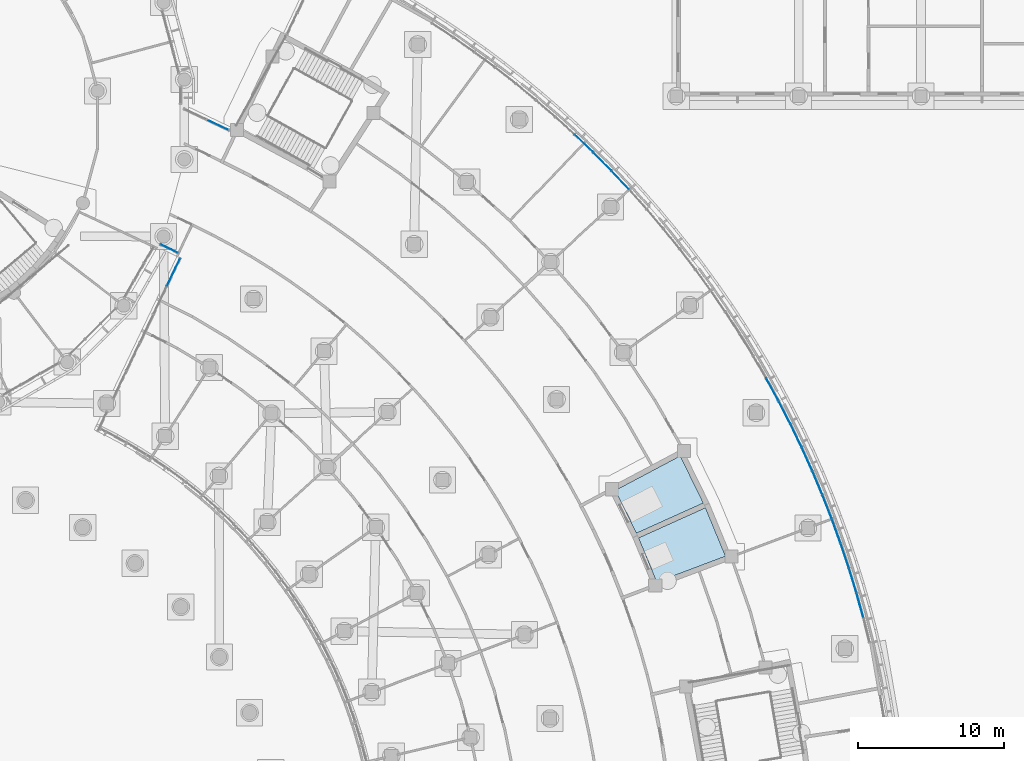
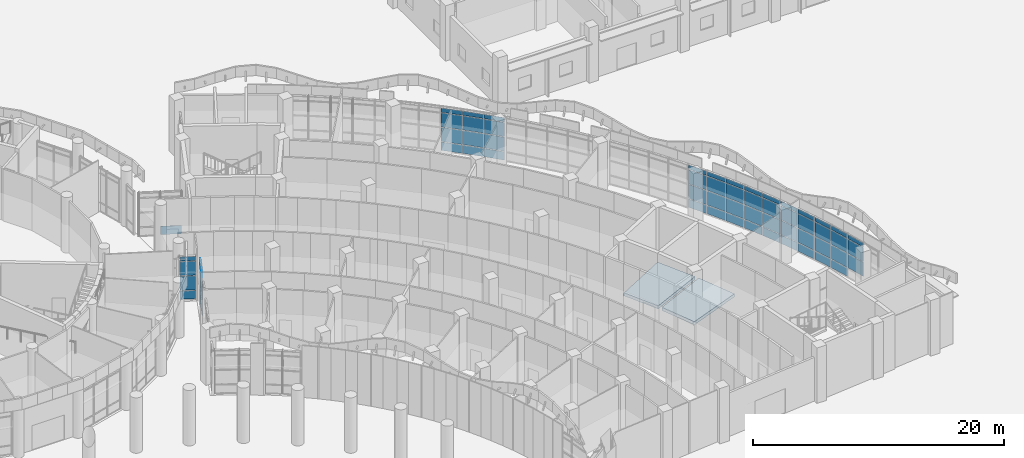
# One storey, part 50 of 146: 60 plates, 2 slabs, 7 elements without a shape of their own.
"""IFC4 building model written with IfcOpenShell, lengths in metres."""

from ifc_helpers import new_model, si_unit, direction, frame, origin, origin_2d, place, context, subcontext, project, spatial, polyline, rectangle, outline, extrude, material, layer, layer_set, type_object, element, aggregate, save


model = new_model("IFC4")

# Units and contexts
model_context = context("Model", 3, precision=1e-05, world=origin(), true_north=direction((0.0, 1.0)))
body_context = subcontext(model_context, "Body", "Model", "MODEL_VIEW")
ifc_project = project(units=[si_unit("LENGTHUNIT", "METRE"), si_unit("AREAUNIT", "SQUARE_METRE"), si_unit("VOLUMEUNIT", "CUBIC_METRE"), si_unit("PLANEANGLEUNIT", "RADIAN"), si_unit("MASSUNIT", "GRAM", prefix="KILO")], contexts=[model_context])

# Site, building, storey
site_placement = place(None, origin())
site = spatial("IfcSite", under=ifc_project, at=site_placement, CompositionType="ELEMENT")
building_placement = place(site_placement, origin())
building = spatial("IfcBuilding", under=site, at=building_placement, Name="Bougainvillea Quay General Hospital", CompositionType="ELEMENT")
storey_placement = place(building_placement, origin())
storey = spatial("IfcBuildingStorey", under=building, at=storey_placement, Name="L00", CompositionType="ELEMENT", Elevation=0.0)

# Curtain wall, plates
ifc_material_1 = material(Name="Aluminium curtain wall system, powder-coated glazed", Category="aluminium")
curtain_wall_type_1 = type_object("IfcCurtainWallType", Name="Unitised curtain wall CW-1422", PredefinedType="NOTDEFINED", material=ifc_material_1)
curtain_wall_1_placement = place(storey_placement, origin())
curtain_wall_1 = element("IfcCurtainWall", 1, at=curtain_wall_1_placement, inside=storey, type_object=curtain_wall_type_1, Name="CW-AE 00", PredefinedType="NOTDEFINED")
ifc_material_2 = material(Name="Insulated aluminium spandrel panel, white", Category="aluminium")
ifc_layer_1 = layer(ifc_material_2, 0.028076171875)
ifc_layer_set_1 = layer_set([ifc_layer_1], Name="Insulated aluminium spandrel panel, white")
plate_type_1 = type_object("IfcPlateType", Name="Insulated spandrel panel white 28", PredefinedType="CURTAIN_PANEL", material=ifc_layer_set_1)
plate_1_placement = place(storey_placement, frame((128.986083984375, 65.133544921875, 0.06005859375), z_axis=(0.0, 0.0, 1.0), x_axis=(0.902574242771, -0.430534245195, 0.0)))
plate_1 = element("IfcPlate", 2, at=plate_1_placement, type_object=plate_type_1, Name="CW-AE spandrel panel 1.1", PredefinedType="CURTAIN_PANEL", context=body_context, shape_type="SweptSolid", body=[
    extrude(rectangle(XDim=1.301513671875, YDim=0.028076171875, at=origin_2d()), origin(), (0.0, 0.0, 1.0), 0.81005859375),
])
plate_2_placement = place(storey_placement, frame((128.986083984375, 65.133544921875, 3.7802734375), z_axis=(0.0, 0.0, 1.0), x_axis=(0.902574242771, -0.430534245195, 0.0)))
plate_2 = element("IfcPlate", 3, at=plate_2_placement, type_object=plate_type_1, Name="CW-AE spandrel panel 1.4", PredefinedType="CURTAIN_PANEL", context=body_context, shape_type="SweptSolid", body=[
    extrude(rectangle(XDim=1.301513671875, YDim=0.028076171875, at=origin_2d()), origin(), (0.0, 0.0, 1.0), 0.409912109375),
])

curtain_wall_type_2 = type_object("IfcCurtainWallType", Name="Unitised curtain wall CW-2147", PredefinedType="NOTDEFINED", material=ifc_material_1)
curtain_wall_2_placement = place(storey_placement, origin())
curtain_wall_2 = element("IfcCurtainWall", 4, at=curtain_wall_2_placement, inside=storey, type_object=curtain_wall_type_2, Name="CW-AE 00", PredefinedType="NOTDEFINED")
plate_3_placement = place(storey_placement, frame((129.277099609375, 63.512451171875, 0.06005859375), z_axis=(0.0, 0.0, 1.0), x_axis=(-0.430530445105, -0.902576055431, 0.0)))
plate_3 = element("IfcPlate", 5, at=plate_3_placement, type_object=plate_type_1, Name="CW-AE spandrel panel 1.1", PredefinedType="CURTAIN_PANEL", context=body_context, shape_type="SweptSolid", body=[
    extrude(rectangle(XDim=2.05615234375, YDim=0.028076171875, at=origin_2d()), origin(), (0.0, 0.0, 1.0), 0.81005859375),
])
plate_4_placement = place(storey_placement, frame((129.277099609375, 63.512451171875, 3.7802734375), z_axis=(0.0, 0.0, 1.0), x_axis=(-0.430530445105, -0.902576055431, 0.0)))
plate_4 = element("IfcPlate", 6, at=plate_4_placement, type_object=plate_type_1, Name="CW-AE spandrel panel 1.4", PredefinedType="CURTAIN_PANEL", context=body_context, shape_type="SweptSolid", body=[
    extrude(rectangle(XDim=2.05615234375, YDim=0.028076171875, at=origin_2d()), origin(), (0.0, 0.0, 1.0), 0.409912109375),
])

curtain_wall_type_3 = type_object("IfcCurtainWallType", Name="Unitised curtain wall CW-2100", PredefinedType="NOTDEFINED", material=ifc_material_1)
curtain_wall_3_placement = place(storey_placement, origin())
curtain_wall_3 = element("IfcCurtainWall", 7, at=curtain_wall_3_placement, inside=storey, type_object=curtain_wall_type_3, Name="CW-E03 a23b2", PredefinedType="NOTDEFINED")
plate_5_placement = place(storey_placement, frame((157.455810546875, 72.35595703125, 0.06005859375), z_axis=(0.0, 0.0, 1.0), x_axis=(0.722001787667, -0.69189118986, 0.0)))
plate_5 = element("IfcPlate", 8, at=plate_5_placement, type_object=plate_type_1, Name="CW-E03 spandrel panel 3.1", PredefinedType="CURTAIN_PANEL", context=body_context, shape_type="SweptSolid", body=[
    extrude(rectangle(XDim=1.72021484375, YDim=0.028076171875, at=origin_2d()), origin(), (0.0, 0.0, 1.0), 0.81005859375),
])
plate_6_placement = place(storey_placement, frame((157.455810546875, 72.35595703125, 3.7802734375), z_axis=(0.0, 0.0, 1.0), x_axis=(0.722001787667, -0.69189118986, 0.0)))
plate_6 = element("IfcPlate", 9, at=plate_6_placement, type_object=plate_type_1, Name="CW-E03 spandrel panel 3.4", PredefinedType="CURTAIN_PANEL", context=body_context, shape_type="SweptSolid", body=[
    extrude(rectangle(XDim=1.72021484375, YDim=0.028076171875, at=origin_2d()), origin(), (0.0, 0.0, 1.0), 0.409912109375),
])
plate_7_placement = place(storey_placement, frame((158.72509765625, 71.10791015625, 0.06005859375), z_axis=(0.0, 0.0, 1.0), x_axis=(0.704108920818, -0.710091985326, 0.0)))
plate_7 = element("IfcPlate", 10, at=plate_7_placement, type_object=plate_type_1, Name="CW-E03 spandrel panel 4.1", PredefinedType="CURTAIN_PANEL", context=body_context, shape_type="SweptSolid", body=[
    extrude(rectangle(XDim=1.72021484375, YDim=0.028076171875, at=origin_2d()), origin(), (0.0, 0.0, 1.0), 0.81005859375),
])
plate_8_placement = place(storey_placement, frame((158.72509765625, 71.10791015625, 3.7802734375), z_axis=(0.0, 0.0, 1.0), x_axis=(0.704108920818, -0.710091985326, 0.0)))
plate_8 = element("IfcPlate", 11, at=plate_8_placement, type_object=plate_type_1, Name="CW-E03 spandrel panel 4.4", PredefinedType="CURTAIN_PANEL", context=body_context, shape_type="SweptSolid", body=[
    extrude(rectangle(XDim=1.72021484375, YDim=0.028076171875, at=origin_2d()), origin(), (0.0, 0.0, 1.0), 0.409912109375),
])
plate_9_placement = place(storey_placement, frame((159.9521484375, 69.8388671875, 0.06005859375), z_axis=(0.0, 0.0, 1.0), x_axis=(0.685757380773, -0.727830210087, 0.0)))
plate_9 = element("IfcPlate", 12, at=plate_9_placement, type_object=plate_type_1, Name="CW-E03 spandrel panel 5.1", PredefinedType="CURTAIN_PANEL", context=body_context, shape_type="SweptSolid", body=[
    extrude(rectangle(XDim=1.690185546875, YDim=0.028076171875, at=origin_2d()), origin(), (0.0, 0.0, 1.0), 0.81005859375),
])
plate_10_placement = place(storey_placement, frame((159.9521484375, 69.8388671875, 3.7802734375), z_axis=(0.0, 0.0, 1.0), x_axis=(0.685757380773, -0.727830210087, 0.0)))
plate_10 = element("IfcPlate", 13, at=plate_10_placement, type_object=plate_type_1, Name="CW-E03 spandrel panel 5.4", PredefinedType="CURTAIN_PANEL", context=body_context, shape_type="SweptSolid", body=[
    extrude(rectangle(XDim=1.690185546875, YDim=0.028076171875, at=origin_2d()), origin(), (0.0, 0.0, 1.0), 0.409912109375),
])

curtain_wall_4_placement = place(storey_placement, origin())
curtain_wall_4 = element("IfcCurtainWall", 14, at=curtain_wall_4_placement, inside=storey, type_object=curtain_wall_type_3, Name="CW-E05 a23b4", PredefinedType="NOTDEFINED")
plate_11_placement = place(storey_placement, frame((170.385986328125, 55.4755859375, 0.06005859375), z_axis=(0.0, 0.0, 1.0), x_axis=(0.479782535044, -0.877387439543, 0.0)))
plate_11 = element("IfcPlate", 15, at=plate_11_placement, type_object=plate_type_1, Name="CW-E05 spandrel panel 5.1", PredefinedType="CURTAIN_PANEL", context=body_context, shape_type="SweptSolid", body=[
    extrude(rectangle(XDim=1.690185546875, YDim=0.028076171875, at=origin_2d()), origin(), (0.0, 0.0, 1.0), 0.81005859375),
])
plate_12_placement = place(storey_placement, frame((170.385986328125, 55.4755859375, 3.7802734375), z_axis=(0.0, 0.0, 1.0), x_axis=(0.479782535044, -0.877387439543, 0.0)))
plate_12 = element("IfcPlate", 16, at=plate_12_placement, type_object=plate_type_1, Name="CW-E05 spandrel panel 5.4", PredefinedType="CURTAIN_PANEL", context=body_context, shape_type="SweptSolid", body=[
    extrude(rectangle(XDim=1.690185546875, YDim=0.028076171875, at=origin_2d()), origin(), (0.0, 0.0, 1.0), 0.409912109375),
])

curtain_wall_5_placement = place(storey_placement, origin())
curtain_wall_5 = element("IfcCurtainWall", 17, at=curtain_wall_5_placement, inside=storey, type_object=curtain_wall_type_3, Name="CW-E06 a23b5", PredefinedType="NOTDEFINED")
plate_13_placement = place(storey_placement, frame((171.234130859375, 53.87646484375, 0.06005859375), z_axis=(0.0, 0.0, 1.0), x_axis=(0.457234526215, -0.889346157599, 0.0)))
plate_13 = element("IfcPlate", 18, at=plate_13_placement, type_object=plate_type_1, Name="CW-E06 spandrel panel 1.1", PredefinedType="CURTAIN_PANEL", context=body_context, shape_type="SweptSolid", body=[
    extrude(rectangle(XDim=1.690185546875, YDim=0.028076171875, at=origin_2d()), origin(), (0.0, 0.0, 1.0), 0.81005859375),
])
plate_14_placement = place(storey_placement, frame((171.234130859375, 53.87646484375, 3.7802734375), z_axis=(0.0, 0.0, 1.0), x_axis=(0.457234526215, -0.889346157599, 0.0)))
plate_14 = element("IfcPlate", 19, at=plate_14_placement, type_object=plate_type_1, Name="CW-E06 spandrel panel 1.4", PredefinedType="CURTAIN_PANEL", context=body_context, shape_type="SweptSolid", body=[
    extrude(rectangle(XDim=1.690185546875, YDim=0.028076171875, at=origin_2d()), origin(), (0.0, 0.0, 1.0), 0.409912109375),
])
plate_15_placement = place(storey_placement, frame((172.02099609375, 52.29638671875, 0.06005859375), z_axis=(0.0, 0.0, 1.0), x_axis=(0.434388664007, -0.900725534545, 0.0)))
plate_15 = element("IfcPlate", 20, at=plate_15_placement, type_object=plate_type_1, Name="CW-E06 spandrel panel 2.1", PredefinedType="CURTAIN_PANEL", context=body_context, shape_type="SweptSolid", body=[
    extrude(rectangle(XDim=1.72021484375, YDim=0.028076171875, at=origin_2d()), origin(), (0.0, 0.0, 1.0), 0.81005859375),
])
plate_16_placement = place(storey_placement, frame((172.02099609375, 52.29638671875, 3.7802734375), z_axis=(0.0, 0.0, 1.0), x_axis=(0.434388664007, -0.900725534545, 0.0)))
plate_16 = element("IfcPlate", 21, at=plate_16_placement, type_object=plate_type_1, Name="CW-E06 spandrel panel 2.4", PredefinedType="CURTAIN_PANEL", context=body_context, shape_type="SweptSolid", body=[
    extrude(rectangle(XDim=1.72021484375, YDim=0.028076171875, at=origin_2d()), origin(), (0.0, 0.0, 1.0), 0.409912109375),
])
plate_17_placement = place(storey_placement, frame((172.773681640625, 50.683349609375, 0.06005859375), z_axis=(0.0, 0.0, 1.0), x_axis=(0.411259830755, -0.911518157585, 0.0)))
plate_17 = element("IfcPlate", 22, at=plate_17_placement, type_object=plate_type_1, Name="CW-E06 spandrel panel 3.1", PredefinedType="CURTAIN_PANEL", context=body_context, shape_type="SweptSolid", body=[
    extrude(rectangle(XDim=1.72021484375, YDim=0.028076171875, at=origin_2d()), origin(), (0.0, 0.0, 1.0), 0.81005859375),
])
plate_18_placement = place(storey_placement, frame((172.773681640625, 50.683349609375, 3.7802734375), z_axis=(0.0, 0.0, 1.0), x_axis=(0.411259830755, -0.911518157585, 0.0)))
plate_18 = element("IfcPlate", 23, at=plate_18_placement, type_object=plate_type_1, Name="CW-E06 spandrel panel 3.4", PredefinedType="CURTAIN_PANEL", context=body_context, shape_type="SweptSolid", body=[
    extrude(rectangle(XDim=1.72021484375, YDim=0.028076171875, at=origin_2d()), origin(), (0.0, 0.0, 1.0), 0.409912109375),
])
plate_19_placement = place(storey_placement, frame((173.48486328125, 49.051513671875, 0.06005859375), z_axis=(0.0, 0.0, 1.0), x_axis=(0.387863093127, -0.921716996149, 0.0)))
plate_19 = element("IfcPlate", 24, at=plate_19_placement, type_object=plate_type_1, Name="CW-E06 spandrel panel 4.1", PredefinedType="CURTAIN_PANEL", context=body_context, shape_type="SweptSolid", body=[
    extrude(rectangle(XDim=1.72021484375, YDim=0.028076171875, at=origin_2d()), origin(), (0.0, 0.0, 1.0), 0.81005859375),
])
plate_20_placement = place(storey_placement, frame((173.48486328125, 49.051513671875, 3.7802734375), z_axis=(0.0, 0.0, 1.0), x_axis=(0.387863093127, -0.921716996149, 0.0)))
plate_20 = element("IfcPlate", 25, at=plate_20_placement, type_object=plate_type_1, Name="CW-E06 spandrel panel 4.4", PredefinedType="CURTAIN_PANEL", context=body_context, shape_type="SweptSolid", body=[
    extrude(rectangle(XDim=1.72021484375, YDim=0.028076171875, at=origin_2d()), origin(), (0.0, 0.0, 1.0), 0.409912109375),
])
plate_21_placement = place(storey_placement, frame((174.14892578125, 47.416015625, 0.06005859375), z_axis=(0.0, 0.0, 1.0), x_axis=(0.364213692311, -0.931315406472, 0.0)))
plate_21 = element("IfcPlate", 26, at=plate_21_placement, type_object=plate_type_1, Name="CW-E06 spandrel panel 5.1", PredefinedType="CURTAIN_PANEL", context=body_context, shape_type="SweptSolid", body=[
    extrude(rectangle(XDim=1.690185546875, YDim=0.028076171875, at=origin_2d()), origin(), (0.0, 0.0, 1.0), 0.81005859375),
])
plate_22_placement = place(storey_placement, frame((174.14892578125, 47.416015625, 3.7802734375), z_axis=(0.0, 0.0, 1.0), x_axis=(0.364213692311, -0.931315406472, 0.0)))
plate_22 = element("IfcPlate", 27, at=plate_22_placement, type_object=plate_type_1, Name="CW-E06 spandrel panel 5.4", PredefinedType="CURTAIN_PANEL", context=body_context, shape_type="SweptSolid", body=[
    extrude(rectangle(XDim=1.690185546875, YDim=0.028076171875, at=origin_2d()), origin(), (0.0, 0.0, 1.0), 0.409912109375),
])

curtain_wall_6_placement = place(storey_placement, origin())
curtain_wall_6 = element("IfcCurtainWall", 28, at=curtain_wall_6_placement, inside=storey, type_object=curtain_wall_type_3, Name="CW-E07 a23b6", PredefinedType="NOTDEFINED")
plate_23_placement = place(storey_placement, frame((174.78662109375, 45.721923828125, 0.06005859375), z_axis=(0.0, 0.0, 1.0), x_axis=(0.340327034086, -0.940307135924, 0.0)))
plate_23 = element("IfcPlate", 29, at=plate_23_placement, type_object=plate_type_1, Name="CW-E07 spandrel panel 1.1", PredefinedType="CURTAIN_PANEL", context=body_context, shape_type="SweptSolid", body=[
    extrude(rectangle(XDim=1.690185546875, YDim=0.028076171875, at=origin_2d()), origin(), (0.0, 0.0, 1.0), 0.81005859375),
])
plate_24_placement = place(storey_placement, frame((174.78662109375, 45.721923828125, 3.7802734375), z_axis=(0.0, 0.0, 1.0), x_axis=(0.340327034086, -0.940307135924, 0.0)))
plate_24 = element("IfcPlate", 30, at=plate_24_placement, type_object=plate_type_1, Name="CW-E07 spandrel panel 1.4", PredefinedType="CURTAIN_PANEL", context=body_context, shape_type="SweptSolid", body=[
    extrude(rectangle(XDim=1.690185546875, YDim=0.028076171875, at=origin_2d()), origin(), (0.0, 0.0, 1.0), 0.409912109375),
])
plate_25_placement = place(storey_placement, frame((175.365966796875, 44.0546875, 0.06005859375), z_axis=(0.0, 0.0, 1.0), x_axis=(0.316218678786, -0.948686327079, 0.0)))
plate_25 = element("IfcPlate", 31, at=plate_25_placement, type_object=plate_type_1, Name="CW-E07 spandrel panel 2.1", PredefinedType="CURTAIN_PANEL", context=body_context, shape_type="SweptSolid", body=[
    extrude(rectangle(XDim=1.72021484375, YDim=0.028076171875, at=origin_2d()), origin(), (0.0, 0.0, 1.0), 0.81005859375),
])
plate_26_placement = place(storey_placement, frame((175.365966796875, 44.0546875, 3.7802734375), z_axis=(0.0, 0.0, 1.0), x_axis=(0.316218678786, -0.948686327079, 0.0)))
plate_26 = element("IfcPlate", 32, at=plate_26_placement, type_object=plate_type_1, Name="CW-E07 spandrel panel 2.4", PredefinedType="CURTAIN_PANEL", context=body_context, shape_type="SweptSolid", body=[
    extrude(rectangle(XDim=1.72021484375, YDim=0.028076171875, at=origin_2d()), origin(), (0.0, 0.0, 1.0), 0.409912109375),
])
plate_27_placement = place(storey_placement, frame((175.9072265625, 42.35888671875, 0.06005859375), z_axis=(0.0, 0.0, 1.0), x_axis=(0.291904331163, -0.956447521534, 0.0)))
plate_27 = element("IfcPlate", 33, at=plate_27_placement, type_object=plate_type_1, Name="CW-E07 spandrel panel 3.1", PredefinedType="CURTAIN_PANEL", context=body_context, shape_type="SweptSolid", body=[
    extrude(rectangle(XDim=1.72021484375, YDim=0.028076171875, at=origin_2d()), origin(), (0.0, 0.0, 1.0), 0.81005859375),
])
plate_28_placement = place(storey_placement, frame((175.9072265625, 42.35888671875, 3.7802734375), z_axis=(0.0, 0.0, 1.0), x_axis=(0.291904331163, -0.956447521534, 0.0)))
plate_28 = element("IfcPlate", 34, at=plate_28_placement, type_object=plate_type_1, Name="CW-E07 spandrel panel 3.4", PredefinedType="CURTAIN_PANEL", context=body_context, shape_type="SweptSolid", body=[
    extrude(rectangle(XDim=1.72021484375, YDim=0.028076171875, at=origin_2d()), origin(), (0.0, 0.0, 1.0), 0.409912109375),
])
plate_29_placement = place(storey_placement, frame((176.405029296875, 40.649658203125, 3.7802734375), z_axis=(0.0, 0.0, 1.0), x_axis=(0.267399830158, -0.963585663463, 0.0)))
plate_29 = element("IfcPlate", 35, at=plate_29_placement, type_object=plate_type_1, Name="CW-E07 spandrel panel 4.4", PredefinedType="CURTAIN_PANEL", context=body_context, shape_type="SweptSolid", body=[
    extrude(rectangle(XDim=1.72021484375, YDim=0.028076171875, at=origin_2d()), origin(), (0.0, 0.0, 1.0), 0.409912109375),
])

# Curtain wall, plate
curtain_wall_type_4 = type_object("IfcCurtainWallType", Name="Unitised curtain wall CW-1745", PredefinedType="NOTDEFINED", material=ifc_material_1)
curtain_wall_7_placement = place(storey_placement, origin())
curtain_wall_7 = element("IfcCurtainWall", 36, at=curtain_wall_7_placement, inside=storey, type_object=curtain_wall_type_4, Name="CW-AE 00", PredefinedType="NOTDEFINED")
plate_30_placement = place(storey_placement, frame((132.3203125, 73.62548828125, 0.06005859375), z_axis=(0.0, 0.0, 1.0), x_axis=(-0.902608211345, 0.430463026068, 0.0)))
plate_30 = element("IfcPlate", 37, at=plate_30_placement, type_object=plate_type_1, Name="CW-AE spandrel panel 1.1", PredefinedType="CURTAIN_PANEL", context=body_context, shape_type="SweptSolid", body=[
    extrude(rectangle(XDim=1.654296875, YDim=0.028076171875, at=origin_2d()), origin(), (0.0, 0.0, 1.0), 0.81005859375),
])
aggregate(curtain_wall_7, [plate_30])

# Plate
ifc_material_3 = material(Name="Low-e laminated glass, solar control", Category="glass")
ifc_layer_2 = layer(ifc_material_3, 0.028076171875)
ifc_layer_set_2 = layer_set([ifc_layer_2], Name="Low-e laminated glass, solar control")
plate_type_2 = type_object("IfcPlateType", Name="Low-e laminated vision glass 28", PredefinedType="CURTAIN_PANEL", material=ifc_layer_set_2)
plate_31_placement = place(storey_placement, frame((128.986083984375, 65.133544921875, 0.93017578125), z_axis=(0.0, 0.0, 1.0), x_axis=(0.902574242771, -0.430534245195, 0.0)))
plate_31 = element("IfcPlate", 38, at=plate_31_placement, type_object=plate_type_2, Name="CW-AE vision glass panel 1.2", PredefinedType="CURTAIN_PANEL", context=body_context, shape_type="SweptSolid", body=[
    extrude(rectangle(XDim=1.301513671875, YDim=0.028076171875, at=origin_2d()), origin(), (0.0, 0.0, 1.0), 1.364990234375),
])

plate_32_placement = place(storey_placement, frame((128.986083984375, 65.133544921875, 2.35498046875), z_axis=(0.0, 0.0, 1.0), x_axis=(0.902574242771, -0.430534245195, 0.0)))
plate_32 = element("IfcPlate", 39, at=plate_32_placement, type_object=plate_type_2, Name="CW-AE vision glass panel 1.3", PredefinedType="CURTAIN_PANEL", context=body_context, shape_type="SweptSolid", body=[
    extrude(rectangle(XDim=1.301513671875, YDim=0.028076171875, at=origin_2d()), origin(), (0.0, 0.0, 1.0), 1.364990234375),
])

aggregate(curtain_wall_1, [plate_1, plate_31, plate_32, plate_2])

plate_33_placement = place(storey_placement, frame((129.277099609375, 63.512451171875, 0.93017578125), z_axis=(0.0, 0.0, 1.0), x_axis=(-0.430530445105, -0.902576055431, 0.0)))
plate_33 = element("IfcPlate", 40, at=plate_33_placement, type_object=plate_type_2, Name="CW-AE vision glass panel 1.2", PredefinedType="CURTAIN_PANEL", context=body_context, shape_type="SweptSolid", body=[
    extrude(rectangle(XDim=2.05615234375, YDim=0.028076171875, at=origin_2d()), origin(), (0.0, 0.0, 1.0), 1.364990234375),
])

plate_34_placement = place(storey_placement, frame((129.277099609375, 63.512451171875, 2.35498046875), z_axis=(0.0, 0.0, 1.0), x_axis=(-0.430530445105, -0.902576055431, 0.0)))
plate_34 = element("IfcPlate", 41, at=plate_34_placement, type_object=plate_type_2, Name="CW-AE vision glass panel 1.3", PredefinedType="CURTAIN_PANEL", context=body_context, shape_type="SweptSolid", body=[
    extrude(rectangle(XDim=2.05615234375, YDim=0.028076171875, at=origin_2d()), origin(), (0.0, 0.0, 1.0), 1.364990234375),
])

aggregate(curtain_wall_2, [plate_3, plate_33, plate_34, plate_4])

plate_35_placement = place(storey_placement, frame((157.455810546875, 72.35595703125, 0.93017578125), z_axis=(0.0, 0.0, 1.0), x_axis=(0.722001787667, -0.69189118986, 0.0)))
plate_35 = element("IfcPlate", 42, at=plate_35_placement, type_object=plate_type_2, Name="CW-E03 vision glass panel 3.2", PredefinedType="CURTAIN_PANEL", context=body_context, shape_type="SweptSolid", body=[
    extrude(rectangle(XDim=1.72021484375, YDim=0.028076171875, at=origin_2d()), origin(), (0.0, 0.0, 1.0), 1.364990234375),
])

plate_36_placement = place(storey_placement, frame((157.455810546875, 72.35595703125, 2.35498046875), z_axis=(0.0, 0.0, 1.0), x_axis=(0.722001787667, -0.69189118986, 0.0)))
plate_36 = element("IfcPlate", 43, at=plate_36_placement, type_object=plate_type_2, Name="CW-E03 vision glass panel 3.3", PredefinedType="CURTAIN_PANEL", context=body_context, shape_type="SweptSolid", body=[
    extrude(rectangle(XDim=1.72021484375, YDim=0.028076171875, at=origin_2d()), origin(), (0.0, 0.0, 1.0), 1.364990234375),
])

plate_37_placement = place(storey_placement, frame((158.72509765625, 71.10791015625, 0.93017578125), z_axis=(0.0, 0.0, 1.0), x_axis=(0.704108920818, -0.710091985326, 0.0)))
plate_37 = element("IfcPlate", 44, at=plate_37_placement, type_object=plate_type_2, Name="CW-E03 vision glass panel 4.2", PredefinedType="CURTAIN_PANEL", context=body_context, shape_type="SweptSolid", body=[
    extrude(rectangle(XDim=1.72021484375, YDim=0.028076171875, at=origin_2d()), origin(), (0.0, 0.0, 1.0), 1.364990234375),
])

plate_38_placement = place(storey_placement, frame((158.72509765625, 71.10791015625, 2.35498046875), z_axis=(0.0, 0.0, 1.0), x_axis=(0.704108920818, -0.710091985326, 0.0)))
plate_38 = element("IfcPlate", 45, at=plate_38_placement, type_object=plate_type_2, Name="CW-E03 vision glass panel 4.3", PredefinedType="CURTAIN_PANEL", context=body_context, shape_type="SweptSolid", body=[
    extrude(rectangle(XDim=1.72021484375, YDim=0.028076171875, at=origin_2d()), origin(), (0.0, 0.0, 1.0), 1.364990234375),
])

plate_39_placement = place(storey_placement, frame((159.9521484375, 69.8388671875, 0.93017578125), z_axis=(0.0, 0.0, 1.0), x_axis=(0.685757380773, -0.727830210087, 0.0)))
plate_39 = element("IfcPlate", 46, at=plate_39_placement, type_object=plate_type_2, Name="CW-E03 vision glass panel 5.2", PredefinedType="CURTAIN_PANEL", context=body_context, shape_type="SweptSolid", body=[
    extrude(rectangle(XDim=1.690185546875, YDim=0.028076171875, at=origin_2d()), origin(), (0.0, 0.0, 1.0), 1.364990234375),
])

plate_40_placement = place(storey_placement, frame((159.9521484375, 69.8388671875, 2.35498046875), z_axis=(0.0, 0.0, 1.0), x_axis=(0.685757380773, -0.727830210087, 0.0)))
plate_40 = element("IfcPlate", 47, at=plate_40_placement, type_object=plate_type_2, Name="CW-E03 vision glass panel 5.3", PredefinedType="CURTAIN_PANEL", context=body_context, shape_type="SweptSolid", body=[
    extrude(rectangle(XDim=1.690185546875, YDim=0.028076171875, at=origin_2d()), origin(), (0.0, 0.0, 1.0), 1.364990234375),
])

aggregate(curtain_wall_3, [plate_5, plate_35, plate_36, plate_6, plate_7, plate_37, plate_38, plate_8, plate_9, plate_39, plate_40, plate_10])

plate_41_placement = place(storey_placement, frame((170.385986328125, 55.4755859375, 0.93017578125), z_axis=(0.0, 0.0, 1.0), x_axis=(0.479782535044, -0.877387439543, 0.0)))
plate_41 = element("IfcPlate", 48, at=plate_41_placement, type_object=plate_type_2, Name="CW-E05 vision glass panel 5.2", PredefinedType="CURTAIN_PANEL", context=body_context, shape_type="SweptSolid", body=[
    extrude(rectangle(XDim=1.690185546875, YDim=0.028076171875, at=origin_2d()), origin(), (0.0, 0.0, 1.0), 1.364990234375),
])

plate_42_placement = place(storey_placement, frame((170.385986328125, 55.4755859375, 2.35498046875), z_axis=(0.0, 0.0, 1.0), x_axis=(0.479782535044, -0.877387439543, 0.0)))
plate_42 = element("IfcPlate", 49, at=plate_42_placement, type_object=plate_type_2, Name="CW-E05 vision glass panel 5.3", PredefinedType="CURTAIN_PANEL", context=body_context, shape_type="SweptSolid", body=[
    extrude(rectangle(XDim=1.690185546875, YDim=0.028076171875, at=origin_2d()), origin(), (0.0, 0.0, 1.0), 1.364990234375),
])

aggregate(curtain_wall_4, [plate_11, plate_41, plate_42, plate_12])

plate_43_placement = place(storey_placement, frame((171.234130859375, 53.87646484375, 0.93017578125), z_axis=(0.0, 0.0, 1.0), x_axis=(0.457234526215, -0.889346157599, 0.0)))
plate_43 = element("IfcPlate", 50, at=plate_43_placement, type_object=plate_type_2, Name="CW-E06 vision glass panel 1.2", PredefinedType="CURTAIN_PANEL", context=body_context, shape_type="SweptSolid", body=[
    extrude(rectangle(XDim=1.690185546875, YDim=0.028076171875, at=origin_2d()), origin(), (0.0, 0.0, 1.0), 1.364990234375),
])

plate_44_placement = place(storey_placement, frame((171.234130859375, 53.87646484375, 2.35498046875), z_axis=(0.0, 0.0, 1.0), x_axis=(0.457234526215, -0.889346157599, 0.0)))
plate_44 = element("IfcPlate", 51, at=plate_44_placement, type_object=plate_type_2, Name="CW-E06 vision glass panel 1.3", PredefinedType="CURTAIN_PANEL", context=body_context, shape_type="SweptSolid", body=[
    extrude(rectangle(XDim=1.690185546875, YDim=0.028076171875, at=origin_2d()), origin(), (0.0, 0.0, 1.0), 1.364990234375),
])

plate_45_placement = place(storey_placement, frame((172.02099609375, 52.29638671875, 0.93017578125), z_axis=(0.0, 0.0, 1.0), x_axis=(0.434388664007, -0.900725534545, 0.0)))
plate_45 = element("IfcPlate", 52, at=plate_45_placement, type_object=plate_type_2, Name="CW-E06 vision glass panel 2.2", PredefinedType="CURTAIN_PANEL", context=body_context, shape_type="SweptSolid", body=[
    extrude(rectangle(XDim=1.72021484375, YDim=0.028076171875, at=origin_2d()), origin(), (0.0, 0.0, 1.0), 1.364990234375),
])

plate_46_placement = place(storey_placement, frame((172.02099609375, 52.29638671875, 2.35498046875), z_axis=(0.0, 0.0, 1.0), x_axis=(0.434388664007, -0.900725534545, 0.0)))
plate_46 = element("IfcPlate", 53, at=plate_46_placement, type_object=plate_type_2, Name="CW-E06 vision glass panel 2.3", PredefinedType="CURTAIN_PANEL", context=body_context, shape_type="SweptSolid", body=[
    extrude(rectangle(XDim=1.72021484375, YDim=0.028076171875, at=origin_2d()), origin(), (0.0, 0.0, 1.0), 1.364990234375),
])

plate_47_placement = place(storey_placement, frame((172.773681640625, 50.683349609375, 0.93017578125), z_axis=(0.0, 0.0, 1.0), x_axis=(0.411259830755, -0.911518157585, 0.0)))
plate_47 = element("IfcPlate", 54, at=plate_47_placement, type_object=plate_type_2, Name="CW-E06 vision glass panel 3.2", PredefinedType="CURTAIN_PANEL", context=body_context, shape_type="SweptSolid", body=[
    extrude(rectangle(XDim=1.72021484375, YDim=0.028076171875, at=origin_2d()), origin(), (0.0, 0.0, 1.0), 1.364990234375),
])

plate_48_placement = place(storey_placement, frame((172.773681640625, 50.683349609375, 2.35498046875), z_axis=(0.0, 0.0, 1.0), x_axis=(0.411259830755, -0.911518157585, 0.0)))
plate_48 = element("IfcPlate", 55, at=plate_48_placement, type_object=plate_type_2, Name="CW-E06 vision glass panel 3.3", PredefinedType="CURTAIN_PANEL", context=body_context, shape_type="SweptSolid", body=[
    extrude(rectangle(XDim=1.72021484375, YDim=0.028076171875, at=origin_2d()), origin(), (0.0, 0.0, 1.0), 1.364990234375),
])

plate_49_placement = place(storey_placement, frame((173.48486328125, 49.051513671875, 0.93017578125), z_axis=(0.0, 0.0, 1.0), x_axis=(0.387863093127, -0.921716996149, 0.0)))
plate_49 = element("IfcPlate", 56, at=plate_49_placement, type_object=plate_type_2, Name="CW-E06 vision glass panel 4.2", PredefinedType="CURTAIN_PANEL", context=body_context, shape_type="SweptSolid", body=[
    extrude(rectangle(XDim=1.72021484375, YDim=0.028076171875, at=origin_2d()), origin(), (0.0, 0.0, 1.0), 1.364990234375),
])

plate_50_placement = place(storey_placement, frame((173.48486328125, 49.051513671875, 2.35498046875), z_axis=(0.0, 0.0, 1.0), x_axis=(0.387863093127, -0.921716996149, 0.0)))
plate_50 = element("IfcPlate", 57, at=plate_50_placement, type_object=plate_type_2, Name="CW-E06 vision glass panel 4.3", PredefinedType="CURTAIN_PANEL", context=body_context, shape_type="SweptSolid", body=[
    extrude(rectangle(XDim=1.72021484375, YDim=0.028076171875, at=origin_2d()), origin(), (0.0, 0.0, 1.0), 1.364990234375),
])

plate_51_placement = place(storey_placement, frame((174.14892578125, 47.416015625, 0.93017578125), z_axis=(0.0, 0.0, 1.0), x_axis=(0.364213692311, -0.931315406472, 0.0)))
plate_51 = element("IfcPlate", 58, at=plate_51_placement, type_object=plate_type_2, Name="CW-E06 vision glass panel 5.2", PredefinedType="CURTAIN_PANEL", context=body_context, shape_type="SweptSolid", body=[
    extrude(rectangle(XDim=1.690185546875, YDim=0.028076171875, at=origin_2d()), origin(), (0.0, 0.0, 1.0), 1.364990234375),
])

plate_52_placement = place(storey_placement, frame((174.14892578125, 47.416015625, 2.35498046875), z_axis=(0.0, 0.0, 1.0), x_axis=(0.364213692311, -0.931315406472, 0.0)))
plate_52 = element("IfcPlate", 59, at=plate_52_placement, type_object=plate_type_2, Name="CW-E06 vision glass panel 5.3", PredefinedType="CURTAIN_PANEL", context=body_context, shape_type="SweptSolid", body=[
    extrude(rectangle(XDim=1.690185546875, YDim=0.028076171875, at=origin_2d()), origin(), (0.0, 0.0, 1.0), 1.364990234375),
])

aggregate(curtain_wall_5, [plate_13, plate_43, plate_44, plate_14, plate_15, plate_45, plate_46, plate_16, plate_17, plate_47, plate_48, plate_18, plate_19, plate_49, plate_50, plate_20, plate_21, plate_51, plate_52, plate_22])

plate_53_placement = place(storey_placement, frame((174.78662109375, 45.721923828125, 0.93017578125), z_axis=(0.0, 0.0, 1.0), x_axis=(0.340327034086, -0.940307135924, 0.0)))
plate_53 = element("IfcPlate", 60, at=plate_53_placement, type_object=plate_type_2, Name="CW-E07 vision glass panel 1.2", PredefinedType="CURTAIN_PANEL", context=body_context, shape_type="SweptSolid", body=[
    extrude(rectangle(XDim=1.690185546875, YDim=0.028076171875, at=origin_2d()), origin(), (0.0, 0.0, 1.0), 1.364990234375),
])

plate_54_placement = place(storey_placement, frame((174.78662109375, 45.721923828125, 2.35498046875), z_axis=(0.0, 0.0, 1.0), x_axis=(0.340327034086, -0.940307135924, 0.0)))
plate_54 = element("IfcPlate", 61, at=plate_54_placement, type_object=plate_type_2, Name="CW-E07 vision glass panel 1.3", PredefinedType="CURTAIN_PANEL", context=body_context, shape_type="SweptSolid", body=[
    extrude(rectangle(XDim=1.690185546875, YDim=0.028076171875, at=origin_2d()), origin(), (0.0, 0.0, 1.0), 1.364990234375),
])

plate_55_placement = place(storey_placement, frame((175.365966796875, 44.0546875, 0.93017578125), z_axis=(0.0, 0.0, 1.0), x_axis=(0.316218678786, -0.948686327079, 0.0)))
plate_55 = element("IfcPlate", 62, at=plate_55_placement, type_object=plate_type_2, Name="CW-E07 vision glass panel 2.2", PredefinedType="CURTAIN_PANEL", context=body_context, shape_type="SweptSolid", body=[
    extrude(rectangle(XDim=1.72021484375, YDim=0.028076171875, at=origin_2d()), origin(), (0.0, 0.0, 1.0), 1.364990234375),
])

plate_56_placement = place(storey_placement, frame((175.365966796875, 44.0546875, 2.35498046875), z_axis=(0.0, 0.0, 1.0), x_axis=(0.316218678786, -0.948686327079, 0.0)))
plate_56 = element("IfcPlate", 63, at=plate_56_placement, type_object=plate_type_2, Name="CW-E07 vision glass panel 2.3", PredefinedType="CURTAIN_PANEL", context=body_context, shape_type="SweptSolid", body=[
    extrude(rectangle(XDim=1.72021484375, YDim=0.028076171875, at=origin_2d()), origin(), (0.0, 0.0, 1.0), 1.364990234375),
])

plate_57_placement = place(storey_placement, frame((175.9072265625, 42.35888671875, 0.93017578125), z_axis=(0.0, 0.0, 1.0), x_axis=(0.291904331163, -0.956447521534, 0.0)))
plate_57 = element("IfcPlate", 64, at=plate_57_placement, type_object=plate_type_2, Name="CW-E07 vision glass panel 3.2", PredefinedType="CURTAIN_PANEL", context=body_context, shape_type="SweptSolid", body=[
    extrude(rectangle(XDim=1.72021484375, YDim=0.028076171875, at=origin_2d()), origin(), (0.0, 0.0, 1.0), 1.364990234375),
])

plate_58_placement = place(storey_placement, frame((175.9072265625, 42.35888671875, 2.35498046875), z_axis=(0.0, 0.0, 1.0), x_axis=(0.291904331163, -0.956447521534, 0.0)))
plate_58 = element("IfcPlate", 65, at=plate_58_placement, type_object=plate_type_2, Name="CW-E07 vision glass panel 3.3", PredefinedType="CURTAIN_PANEL", context=body_context, shape_type="SweptSolid", body=[
    extrude(rectangle(XDim=1.72021484375, YDim=0.028076171875, at=origin_2d()), origin(), (0.0, 0.0, 1.0), 1.364990234375),
])

plate_59_placement = place(storey_placement, frame((176.405029296875, 40.649658203125, 0.93017578125), z_axis=(0.0, 0.0, 1.0), x_axis=(0.267399830158, -0.963585663463, 0.0)))
plate_59 = element("IfcPlate", 66, at=plate_59_placement, type_object=plate_type_2, Name="CW-E07 vision glass panel 4.2", PredefinedType="CURTAIN_PANEL", context=body_context, shape_type="SweptSolid", body=[
    extrude(rectangle(XDim=1.72021484375, YDim=0.028076171875, at=origin_2d()), origin(), (0.0, 0.0, 1.0), 1.364990234375),
])

plate_60_placement = place(storey_placement, frame((176.405029296875, 40.649658203125, 2.35498046875), z_axis=(0.0, 0.0, 1.0), x_axis=(0.267399830158, -0.963585663463, 0.0)))
plate_60 = element("IfcPlate", 67, at=plate_60_placement, type_object=plate_type_2, Name="CW-E07 vision glass panel 4.3", PredefinedType="CURTAIN_PANEL", context=body_context, shape_type="SweptSolid", body=[
    extrude(rectangle(XDim=1.72021484375, YDim=0.028076171875, at=origin_2d()), origin(), (0.0, 0.0, 1.0), 1.364990234375),
])

aggregate(curtain_wall_6, [plate_23, plate_53, plate_54, plate_24, plate_25, plate_55, plate_56, plate_26, plate_27, plate_57, plate_58, plate_28, plate_59, plate_60, plate_29])

# Slabs
ifc_material_4 = material(Name="Concrete C35", Category="concrete")
ifc_layer_3 = layer(ifc_material_4, 0.300048828125)
ifc_layer_set_3 = layer_set([ifc_layer_3], Name="Concrete C35")
slab_type = type_object("IfcSlabType", Name="RC FLAT SLAB 300 C35 GROUND", PredefinedType="BASESLAB", material=ifc_layer_set_3)
slab_1_placement = place(storey_placement, frame((0.0, 0.0, -0.300048828125)))
element("IfcSlab", 68, at=slab_1_placement, inside=storey, type_object=slab_type, Name="Slab S1 L00", PredefinedType="BASESLAB", context=body_context, shape_type="SweptSolid", body=[
    extrude(outline(polyline([(165.659423828125, 47.665283203125), (164.072265625, 50.90478515625), (159.45849609375, 48.45703125), (159.61328125, 48.532958984375), (161.061279296875, 45.592041015625), (165.659423828125, 47.665283203125)])), origin(), (0.0, 0.0, 1.0), 0.300048828125),
])
slab_2_placement = place(storey_placement, frame((0.0, 0.0, -0.300048828125)))
element("IfcSlab", 69, at=slab_2_placement, inside=storey, type_object=slab_type, Name="Slab S1 L00", PredefinedType="BASESLAB", context=body_context, shape_type="SweptSolid", body=[
    extrude(outline(polyline([(165.80322265625, 47.34619140625), (161.20556640625, 45.271728515625), (162.452880859375, 42.239501953125), (162.293701171875, 42.173828125), (167.18115234375, 44.01318359375), (165.80322265625, 47.34619140625)])), origin(), (0.0, 0.0, 1.0), 0.300048828125),
])

save(model, "model.ifc")
